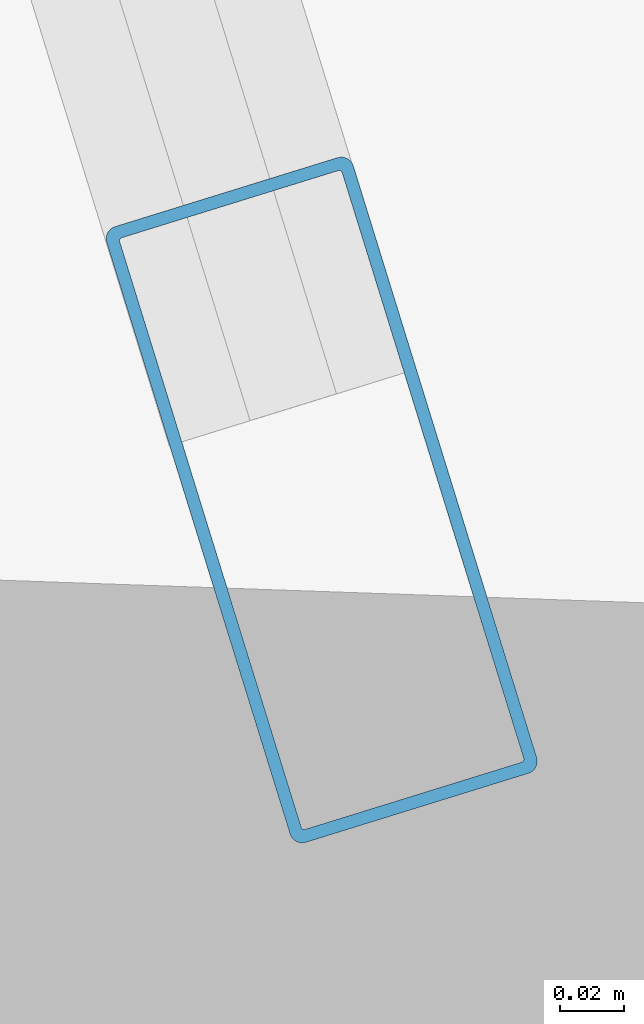
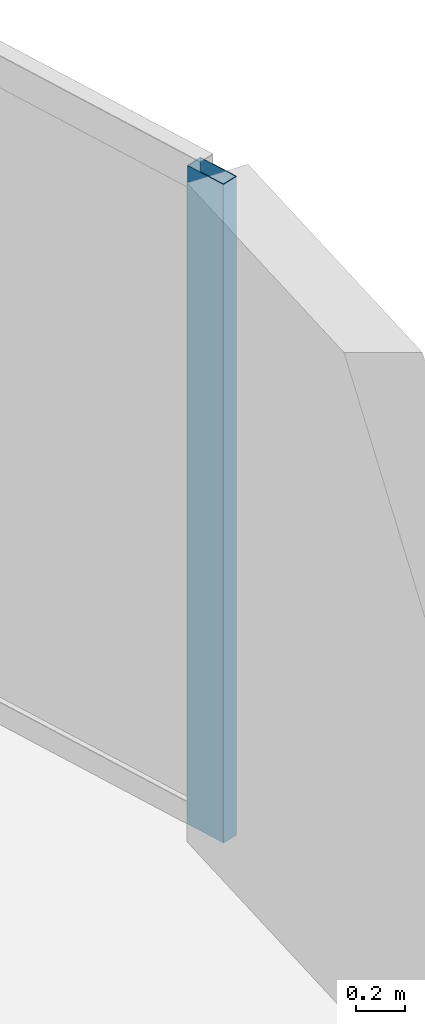
# One storey, part 13 of 30: 1 member, 1 element without a shape of its own.
"""IFC4 building model written with IfcOpenShell, lengths in metres."""

import ifcopenshell
import ifcopenshell.guid

model = None  # the IFC model being written
_history = None  # IfcOwnerHistory: only IFC2X3 demands one
_inside = {}  # id of a spatial element -> (the spatial element, [elements in it])
_under = {}  # id of a project, library or spatial element -> (it, [spatial elements below it])
_declared = {}  # id of a project -> (the project, [libraries it declares])
_typed = {}  # id of a type object -> (the type object, [elements of that type])
_made_of = {}  # id of a material, layer set ... -> (it, [elements and type objects made of it])


def new_model(schema):
    """Start an empty IFC model of exactly this schema.

    Asked for "IFC4X3", IfcOpenShell would pick the latest addendum, in which some entities
    have other attributes; the version numbers below select the first issue.
    IFC2X3 requires an IfcOwnerHistory on every rooted entity: one is made here for all.
    """
    global model, _history
    if schema == "IFC4X3":
        model = ifcopenshell.file(schema_version=(4, 3, 0, 0))
    else:
        model = ifcopenshell.file(schema=schema)
    _inside.clear()
    _under.clear()
    _declared.clear()
    _typed.clear()
    _made_of.clear()
    _history = None
    if model.schema == "IFC2X3":
        org = make("IfcOrganization", Name="unknown")
        user = make(
            "IfcPersonAndOrganization",
            ThePerson=make("IfcPerson", FamilyName="unknown"),
            TheOrganization=org,
        )
        app = make(
            "IfcApplication",
            ApplicationDeveloper=org,
            Version="unknown",
            ApplicationFullName="unknown",
            ApplicationIdentifier="unknown",
        )
        _history = make(
            "IfcOwnerHistory",
            OwningUser=user,
            OwningApplication=app,
            ChangeAction="ADDED",
            CreationDate=0,
        )
    return model


def make(cls, **values):
    """One entity of the class cls with the attributes given. An attribute that is None is left unset."""
    return model.create_entity(
        cls, **{name: value for name, value in values.items() if value is not None}
    )


def rooted(cls, **values):
    """An entity with a GlobalId (a new one), such as an element, a storey or a relation."""
    return make(cls, GlobalId=ifcopenshell.guid.new(), OwnerHistory=_history, **values)


def si_unit(unit_type, name, prefix=None):
    """IfcSIUnit, for example si_unit("LENGTHUNIT", "METRE", prefix="MILLI")."""
    return make("IfcSIUnit", UnitType=unit_type, Prefix=prefix, Name=name)


def assignment(units):
    """IfcUnitAssignment: the units of a project."""
    return None if units is None else make("IfcUnitAssignment", Units=units)


def point(xyz):
    """IfcCartesianPoint."""
    return None if xyz is None else make("IfcCartesianPoint", Coordinates=xyz)


def direction(xyz):
    """IfcDirection."""
    return None if xyz is None else make("IfcDirection", DirectionRatios=xyz)


def frame(location, z_axis=None, x_axis=None):
    """IfcAxis2Placement3D, a coordinate frame: its origin and axes. An axis left out is left unset."""
    return make(
        "IfcAxis2Placement3D",
        Location=point(location),
        Axis=direction(z_axis),
        RefDirection=direction(x_axis),
    )


def frame_2d(location, x_axis=None):
    """IfcAxis2Placement2D, a coordinate frame in the plane: its origin and x axis."""
    return make(
        "IfcAxis2Placement2D", Location=point(location), RefDirection=direction(x_axis)
    )


def origin():
    """The frame at (0, 0, 0) with its axes left unset."""
    return frame((0.0, 0.0, 0.0))


def origin_2d():
    """The frame at (0, 0) in the plane with its x axis left unset."""
    return frame_2d((0.0, 0.0))


def place(relative_to, where):
    """IfcLocalPlacement: puts the frame where relative to a parent placement (None: the world)."""
    return make(
        "IfcLocalPlacement", PlacementRelTo=relative_to, RelativePlacement=where
    )


def context(
    kind, dimensions, precision=None, world=None, true_north=None, identifier=None
):
    """IfcGeometricRepresentationContext, for example the 3D "Model" context."""
    return make(
        "IfcGeometricRepresentationContext",
        ContextIdentifier=identifier,
        ContextType=kind,
        CoordinateSpaceDimension=dimensions,
        Precision=precision,
        WorldCoordinateSystem=world,
        TrueNorth=true_north,
    )


def subcontext(parent, identifier, kind, view, scale=None):
    """IfcGeometricRepresentationSubContext, for example "Body" below "Model"."""
    return make(
        "IfcGeometricRepresentationSubContext",
        ContextIdentifier=identifier,
        ContextType=kind,
        ParentContext=parent,
        TargetScale=scale,
        TargetView=view,
    )


def project(units=None, contexts=None):
    """IfcProject with its units and contexts."""
    return rooted(
        "IfcProject",
        Name="project",
        RepresentationContexts=contexts,
        UnitsInContext=assignment(units),
    )


def spatial(cls, under=None, at=None, **own):
    """A site, building, storey or space (cls), placed at a placement, below another one or the project."""
    s = rooted(cls, ObjectPlacement=at, **own)
    if under is not None:
        _under.setdefault(under.id(), (under, []))[1].append(s)
    return s


def profile(cls, at=None, kind="AREA", **sizes):
    """A parametric profile (cls). Its sizes go by their IFC names, for example OverallWidth=200.0."""
    return make(cls, ProfileType=kind, Position=at, **sizes)


def hollow_rectangle(**sizes):
    """IfcRectangleHollowProfileDef."""
    return profile("IfcRectangleHollowProfileDef", **sizes)


def extrude(swept, where, along, depth):
    """IfcExtrudedAreaSolid: the profile swept, set in the frame where, extruded along a direction by depth."""
    return make(
        "IfcExtrudedAreaSolid",
        SweptArea=swept,
        Position=where,
        ExtrudedDirection=direction(along),
        Depth=depth,
    )


def shape(context_of_items, identifier, shape_type, items):
    """IfcShapeRepresentation: the items that make up one representation, for example the "Body"."""
    return make(
        "IfcShapeRepresentation",
        ContextOfItems=context_of_items,
        RepresentationIdentifier=identifier,
        RepresentationType=shape_type,
        Items=items,
    )


def material(Name=None, Category=None):
    """IfcMaterial."""
    return make("IfcMaterial", Name=Name, Category=Category)


def layer(
    of_material, thickness, ventilated=None, Name=None, Category=None, Priority=None
):
    """IfcMaterialLayer: one layer of a wall or slab, of a material (None: an air gap)."""
    return make(
        "IfcMaterialLayer",
        Material=of_material,
        LayerThickness=thickness,
        IsVentilated=ventilated,
        Name=Name,
        Category=Category,
        Priority=Priority,
    )


def layer_set(layers, Name=None):
    """IfcMaterialLayerSet."""
    return make("IfcMaterialLayerSet", MaterialLayers=layers, LayerSetName=Name)


def material_profile(
    of_material, cross_section, Name=None, Category=None, Priority=None
):
    """IfcMaterialProfile: a cross section and its material."""
    return make(
        "IfcMaterialProfile",
        Name=Name,
        Material=of_material,
        Profile=cross_section,
        Priority=Priority,
        Category=Category,
    )


def profile_set(profiles, Name=None, composite=None):
    """IfcMaterialProfileSet."""
    return make(
        "IfcMaterialProfileSet",
        Name=Name,
        MaterialProfiles=profiles,
        CompositeProfile=composite,
    )


def made_of(thing, what):
    """Note that an element or type object is made of a material, layer set ...; save() writes the relation."""
    if what is not None:
        _made_of.setdefault(what.id(), (what, []))[1].append(thing)
    return thing


def type_object(cls, material=None, **own):
    """A type object (cls), such as IfcWallType, which elements share."""
    return made_of(rooted(cls, **own), material)


def element(
    cls,
    number,
    at=None,
    inside=None,
    cuts=None,
    type_object=None,
    material=None,
    context=None,
    identifier="Body",
    shape_type=None,
    held_by="IfcProductDefinitionShape",
    body=None,
    shapes=None,
    **own,
):
    """One element of the class cls, such as IfcWall. Its Tag is "e" and its number.

    at: its placement. inside: the storey or other place that contains it. cuts: it is an
    opening in that element (IfcRelVoidsElement). A single representation is given by context,
    identifier, shape_type and body (its items); several are given by shapes. held_by: the class
    of the entity that holds the representations. save() writes the other relations.
    """
    e = rooted(cls, Tag="e%d" % number, ObjectPlacement=at, **own)
    if body is not None:
        shapes = [shape(context, identifier, shape_type, body)]
    if shapes is not None:
        e.Representation = make(held_by, Representations=shapes)
    if inside is not None:
        _inside.setdefault(inside.id(), (inside, []))[1].append(e)
    if cuts is not None:
        rooted(
            "IfcRelVoidsElement", RelatingBuildingElement=cuts, RelatedOpeningElement=e
        )
    if type_object is not None:
        _typed.setdefault(type_object.id(), (type_object, []))[1].append(e)
    return made_of(e, material)


def aggregate(whole, parts):
    """IfcRelAggregates: a whole, such as a stair, and the parts it consists of."""
    return rooted("IfcRelAggregates", RelatingObject=whole, RelatedObjects=parts)


def save(model, path):
    """Write the relations noted so far, then the file.

    IfcRelAggregates (storeys below a building ...), IfcRelContainedInSpatialStructure (elements
    in a storey), IfcRelDefinesByType, IfcRelAssociatesMaterial and IfcRelDeclares: one each for
    every whole, place, type object, material and project.
    """
    for whole, parts in _under.values():
        aggregate(whole, parts)
    for where, things in _inside.values():
        rooted(
            "IfcRelContainedInSpatialStructure",
            RelatedElements=things,
            RelatingStructure=where,
        )
    for kind, things in _typed.values():
        rooted("IfcRelDefinesByType", RelatedObjects=things, RelatingType=kind)
    for what, things in _made_of.values():
        rooted("IfcRelAssociatesMaterial", RelatedObjects=things, RelatingMaterial=what)
    for by, libraries in _declared.values():
        rooted("IfcRelDeclares", RelatingContext=by, RelatedDefinitions=libraries)
    model.write(path)


model = new_model("IFC4")

# Units and contexts
model_context = context("Model", 3, precision=1e-05, world=origin(), true_north=direction((0.0, 1.0)))
body_context = subcontext(model_context, "Body", "Model", "MODEL_VIEW")
ifc_project = project(units=[si_unit("LENGTHUNIT", "METRE"), si_unit("AREAUNIT", "SQUARE_METRE"), si_unit("VOLUMEUNIT", "CUBIC_METRE"), si_unit("PLANEANGLEUNIT", "RADIAN"), si_unit("MASSUNIT", "GRAM", prefix="KILO")], contexts=[model_context])

# Site, building, storey
site_placement = place(None, origin())
site = spatial("IfcSite", under=ifc_project, at=site_placement, CompositionType="ELEMENT")
building_placement = place(site_placement, origin())
building = spatial("IfcBuilding", under=site, at=building_placement, Name="Bramvorn Convention Spire", CompositionType="ELEMENT")
storey_placement = place(building_placement, frame((0.0, 0.0, 86.89990234375)))
storey = spatial("IfcBuildingStorey", under=building, at=storey_placement, Name="L20", CompositionType="ELEMENT", Elevation=86.89990234375)

# Curtain wall, member
ifc_material_1 = material(Name="Anodised Bronze Unitised Curtain Wall", Category="aluminium")
ifc_layer = layer(ifc_material_1, 0.179931640625)
ifc_layer_set = layer_set([ifc_layer], Name="Anodised Bronze Unitised Curtain Wall - CW-HTL-FRIT")
curtain_wall_type = type_object("IfcCurtainWallType", Name="CW-HTL-FRIT", PredefinedType="USERDEFINED", material=ifc_layer_set)
curtain_wall_placement = place(storey_placement, origin())
curtain_wall = element("IfcCurtainWall", 1, at=curtain_wall_placement, inside=storey, type_object=curtain_wall_type, Name="L20 fritted glass curtain wall 02", ObjectType="UNITISED CURTAIN WALL", PredefinedType="USERDEFINED")
ifc_material_2 = material(Name="Anodised Bronze Aluminium 6063-T6", Category="aluminium")
ifc_material_profile = material_profile(ifc_material_2, hollow_rectangle(XDim=0.080078125, YDim=0.199951171875, WallThickness=0.00390625, InnerFilletRadius=0.0009765625, OuterFilletRadius=0.00390625, at=origin_2d()))
ifc_profile_set = profile_set([ifc_material_profile], Name="Anodised Bronze Aluminium 6063-T6 - CWM80X200")
member_type = type_object("IfcMemberType", Name="CW-MUL-180", PredefinedType="MULLION", material=ifc_profile_set)
member_placement = place(storey_placement, frame((70.0849609375, 23.981689453125, 0.0), z_axis=(0.0, 0.0, 1.0), x_axis=(0.95516715956, 0.296067048654, 0.0)))
member = element("IfcMember", 2, at=member_placement, type_object=member_type, Name="CW2 mullion 2", PredefinedType="MULLION", context=body_context, shape_type="SweptSolid", body=[
    extrude(hollow_rectangle(XDim=0.080078125, YDim=0.199951171875, WallThickness=0.00390625, InnerFilletRadius=0.0009765625, OuterFilletRadius=0.00390625, at=origin_2d()), origin(), (0.0, 0.0, 1.0), 3.25),
])
aggregate(curtain_wall, [member])

save(model, "model.ifc")
